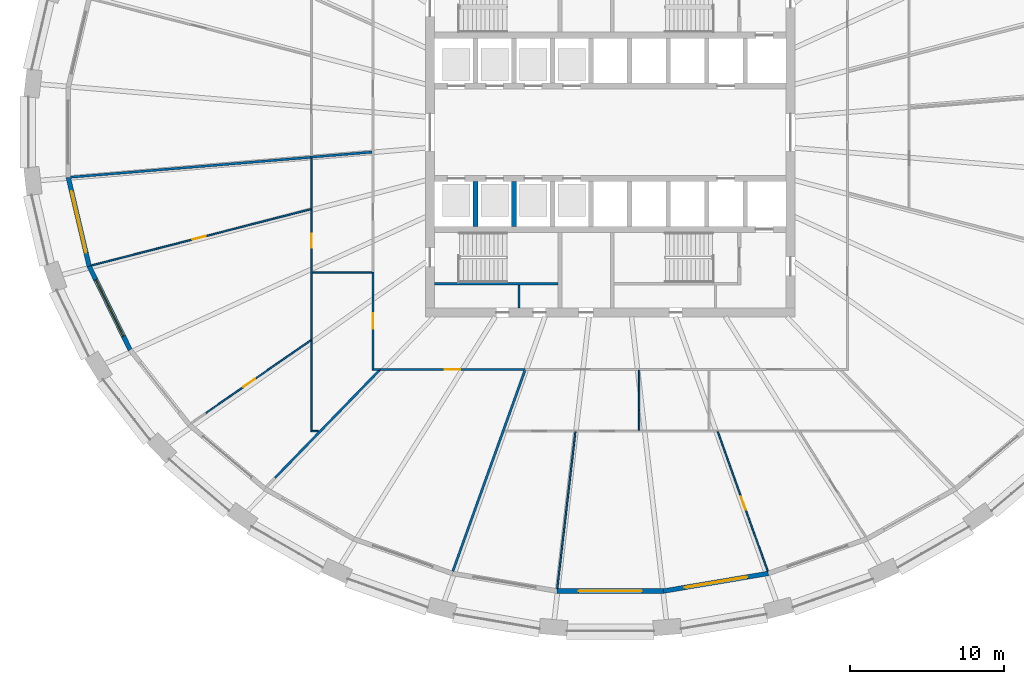
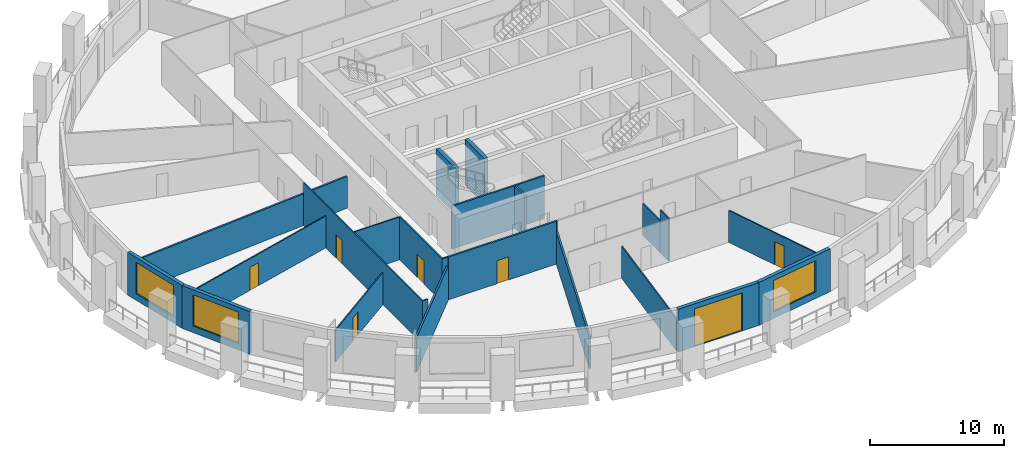
# One storey, part 3 of 12: 24 walls, 7 doors, 3 windows, 10 openings.
"""IFC4 building model written with IfcOpenShell, lengths in metres."""

from ifc_helpers import new_model, si_unit, direction, frame, frame_2d, origin, place, context, subcontext, project, spatial, polyline, rectangle, outline, extrude, material, layer, layer_set, type_object, element, fill, save


model = new_model("IFC4")

# Units and contexts
model_context = context("Model", 3, precision=1e-05, world=origin(), true_north=direction((0.0, 1.0)))
body_context = subcontext(model_context, "Body", "Model", "MODEL_VIEW")
ifc_project = project(units=[si_unit("LENGTHUNIT", "METRE"), si_unit("AREAUNIT", "SQUARE_METRE"), si_unit("VOLUMEUNIT", "CUBIC_METRE"), si_unit("PLANEANGLEUNIT", "RADIAN"), si_unit("MASSUNIT", "GRAM", prefix="KILO")], contexts=[model_context])

# Site, building, storey
site_placement = place(None, origin())
site = spatial("IfcSite", under=ifc_project, at=site_placement, CompositionType="ELEMENT")
building_placement = place(site_placement, origin())
building = spatial("IfcBuilding", under=site, at=building_placement, Name="Halqa Exchange Tower", CompositionType="ELEMENT")
storey_placement = place(building_placement, frame((0.0, 0.0, 31.89990234375)))
storey = spatial("IfcBuildingStorey", under=building, at=storey_placement, Name="L06", CompositionType="ELEMENT", Elevation=31.89990234375)

# Walls
ifc_material_1 = material(Name="Fire-rated gypsum board")
ifc_layer_1 = layer(ifc_material_1, 0.14990234375)
ifc_layer_set_1 = layer_set([ifc_layer_1], Name="Fire-rated gypsum board")
wall_type_1 = type_object("IfcWallType", Name="Fire partition EI 60 150", PredefinedType="PARTITIONING", material=ifc_layer_set_1)
wall_1_placement = place(storey_placement, frame((-19.44921875, -1.6240234375, 0.0), z_axis=(0.0, 0.0, 1.0), x_axis=(-0.996584649275, -0.082577459574, 0.0)))
element("IfcWall", 1, at=wall_1_placement, inside=storey, type_object=wall_type_1, Name="L06-PWL-007", PredefinedType="PARTITIONING", context=body_context, shape_type="SweptSolid", body=[
    extrude(outline(polyline([(15.628173828125, -0.074951171875), (15.628173828125, 0.048095703125), (15.624267578125, 0.074951171875), (13.672119140625, 0.074951171875), (11.719970703125, 0.074951171875), (9.767822265625, 0.074951171875), (7.815673828125, 0.074951171875), (5.863525390625, 0.074951171875), (3.911376953125, 0.074951171875), (1.959228515625, 0.074951171875), (0.007080078125, 0.074951171875), (0.005615234375, 0.05712890625), (0.0, 0.0576171875), (0.0, -0.074951171875), (1.95361328125, -0.074951171875), (3.906982421875, -0.074951171875), (5.860595703125, -0.074951171875), (7.81396484375, -0.074951171875), (9.767578125, -0.074951171875), (11.72119140625, -0.074951171875), (13.674560546875, -0.074951171875), (15.628173828125, -0.074951171875)])), origin(), (0.0, 0.0, 1.0), 2.89208984375),
])
wall_2_placement = place(storey_placement, frame((-15.46923828125, -1.28564453125, 0.0), z_axis=(0.0, 0.0, 1.0), x_axis=(-0.996614549641, -0.082215810186, 0.0)))
element("IfcWall", 2, at=wall_2_placement, inside=storey, type_object=wall_type_1, Name="L06-PWL-016", PredefinedType="PARTITIONING", context=body_context, shape_type="SweptSolid", body=[
    extrude(outline(polyline([(0.0, -0.074951171875), (1.94384765625, -0.074951171875), (3.8876953125, -0.074951171875), (3.888427734375, -0.067138671875), (3.984130859375, -0.074951171875), (3.993896484375, -0.074951171875), (3.993896484375, 0.067626953125), (3.90625, 0.074951171875), (1.959228515625, 0.074951171875), (0.011962890625, 0.074951171875), (0.0, -0.070068359375), (0.0, -0.074951171875)])), origin(), (0.0, 0.0, 1.0), 2.89208984375),
])
wall_3_placement = place(storey_placement, frame((-10.219482421875, -28.489501953125, 0.0), z_axis=(0.0, 0.0, 1.0), x_axis=(0.337910330096, 0.941178308725, 0.0)))
element("IfcWall", 3, at=wall_3_placement, inside=storey, type_object=wall_type_1, Name="L06-PWL-022", PredefinedType="PARTITIONING", context=body_context, shape_type="SweptSolid", body=[
    extrude(outline(polyline([(0.013671875, -0.074951171875), (1.957763671875, -0.074951171875), (3.901611328125, -0.074951171875), (5.845458984375, -0.074951171875), (7.789306640625, -0.074951171875), (9.733154296875, -0.074951171875), (9.737060546875, -0.073486328125), (9.737548828125, -0.074951171875), (11.115234375, -0.074951171875), (12.492919921875, -0.074951171875), (13.87060546875, -0.074951171875), (13.87060546875, -0.07470703125), (13.8525390625, -0.0244140625), (13.8525390625, -0.0244140625), (13.85107421875, -0.020263671875), (13.8369140625, -0.025390625), (13.801025390625, 0.074951171875), (11.829345703125, 0.074951171875), (9.85791015625, 0.074951171875), (7.88623046875, 0.074951171875), (5.914794921875, 0.074951171875), (3.943115234375, 0.074951171875), (1.9716796875, 0.074951171875), (0.0, 0.074951171875), (0.0, 0.06640625), (0.00048828125, -0.00146484375), (0.013671875, -0.074951171875)])), origin(), (0.0, 0.0, 1.0), 2.91015625),
])

# Wall, opening, door
wall_4_placement = place(storey_placement, frame((-5.52001953125, -15.39990234375, 0.0), z_axis=(0.0, 0.0, 1.0), x_axis=(-1.0, 0.0, 0.0)))
wall_4 = element("IfcWall", 4, at=wall_4_placement, inside=storey, type_object=wall_type_1, Name="L06-PWL-025", PredefinedType="PARTITIONING", context=body_context, shape_type="SweptSolid", body=[
    extrude(outline(polyline([(0.0, -0.074951171875), (1.964111328125, -0.074951171875), (3.927978515625, -0.074951171875), (5.89208984375, -0.074951171875), (7.85595703125, -0.074951171875), (9.820068359375, -0.074951171875), (9.820068359375, -0.059814453125), (9.419921875, -0.059814453125), (9.419921875, 0.044677734375), (9.388916015625, 0.074951171875), (7.532470703125, 0.074951171875), (5.676025390625, 0.074951171875), (3.819580078125, 0.074951171875), (1.963134765625, 0.074951171875), (0.1064453125, 0.074951171875), (0.0830078125, 0.009521484375), (0.0, 0.039306640625), (0.0, -0.074951171875)])), origin(), (0.0, 0.0, 1.0), 3.900146484375),
])
opening_1_placement = place(wall_4_placement, frame((4.2099609375, 0.0, 0.0)))
opening_1 = element("IfcOpeningElement", 5, at=opening_1_placement, cuts=wall_4, Name="Opening 01-13", PredefinedType="OPENING", context=body_context, shape_type="SweptSolid", body=[
    extrude(rectangle(XDim=1.0, YDim=2.10009765625, at=frame_2d((0.5, 1.050048828125))), frame((0.0, 0.0869140625, 0.0), z_axis=(0.0, -1.0, 0.0), x_axis=(1.0, 0.0, 0.0)), (0.0, 0.0, 1.0), 0.173828125),
])
ifc_material_2 = material(Name="Steel fire door leaf", Category="steel")
door_type_1 = type_object("IfcDoorType", Name="Fire door FD30S 1000 x 2100", OperationType="SINGLE_SWING_LEFT", PredefinedType="DOOR", material=ifc_material_2)
door_1_placement = place(opening_1_placement, origin())
door_1 = element("IfcDoor", 6, at=door_1_placement, inside=storey, type_object=door_type_1, Name="L06-IDR-013", OperationType="SINGLE_SWING_RIGHT", OverallHeight=2.10009765625, OverallWidth=1.0, PredefinedType="DOOR", context=body_context, shape_type="SweptSolid", body=[
    extrude(rectangle(XDim=1.0, YDim=2.10009765625, at=frame_2d((0.5, 1.050048828125))), frame((0.0, 0.02490234375, 0.0), z_axis=(0.0, -1.0, 0.0), x_axis=(1.0, 0.0, 0.0)), (0.0, 0.0, 1.0), 0.050048828125),
])
fill(opening_1, door_1)

# Wall
wall_5_placement = place(storey_placement, frame((-21.755126953125, -22.42138671875, 0.0), z_axis=(0.0, 0.0, 1.0), x_axis=(0.69648940436, 0.717567076735, 0.0)))
element("IfcWall", 7, at=wall_5_placement, inside=storey, type_object=wall_type_1, Name="L06-PWL-048", PredefinedType="PARTITIONING", context=body_context, shape_type="SweptSolid", body=[
    extrude(outline(polyline([(9.752685546875, -0.074951171875), (9.752685546875, -0.074462890625), (9.731201171875, -0.05224609375), (9.741943359375, -0.041748046875), (9.682373046875, 0.01953125), (9.682373046875, 0.01953125), (9.628662109375, 0.074951171875), (7.776611328125, 0.074951171875), (5.924560546875, 0.074951171875), (4.072509765625, 0.074951171875), (4.0703125, 0.07275390625), (4.068115234375, 0.074951171875), (2.712158203125, 0.074951171875), (1.35595703125, 0.074951171875), (0.0, 0.074951171875), (0.0, -0.074951171875), (1.950439453125, -0.074951171875), (3.901123046875, -0.074951171875), (5.8515625, -0.074951171875), (7.80224609375, -0.074951171875), (9.752685546875, -0.074951171875)])), origin(), (0.0, 0.0, 1.0), 3.147216796875),
])

# Wall, opening, door
ifc_material_3 = material(Name="Fire-rated glazing", Category="glass")
ifc_layer_2 = layer(ifc_material_3, 0.1201171875)
ifc_layer_set_2 = layer_set([ifc_layer_2], Name="Fire-rated glazing")
wall_type_2 = type_object("IfcWallType", Name="Glazed fire partition EI 60 120", PredefinedType="PARTITIONING", material=ifc_layer_set_2)
wall_6_placement = place(storey_placement, frame((-15.39990234375, -15.4599609375, 0.0), z_axis=(0.0, 0.0, 1.0), x_axis=(0.0, 1.0, 0.0)))
wall_6 = element("IfcWall", 8, at=wall_6_placement, inside=storey, type_object=wall_type_2, Name="L06-PWL-014", PredefinedType="PARTITIONING", context=body_context, shape_type="SweptSolid", body=[
    extrude(outline(polyline([(6.369873046875, 0.06005859375), (4.77734375, 0.06005859375), (3.18505859375, 0.06005859375), (1.592529296875, 0.06005859375), (0.0, 0.06005859375), (0.1201171875, -0.06005859375), (1.6826171875, -0.06005859375), (3.2451171875, -0.06005859375), (4.807373046875, -0.06005859375), (6.369873046875, -0.06005859375), (6.369873046875, 0.06005859375)])), origin(), (0.0, 0.0, 1.0), 3.900146484375),
])
opening_2_placement = place(wall_6_placement, frame((2.715087890625, 0.0, 0.0)))
opening_2 = element("IfcOpeningElement", 9, at=opening_2_placement, cuts=wall_6, Name="Opening 01-11", PredefinedType="OPENING", context=body_context, shape_type="SweptSolid", body=[
    extrude(rectangle(XDim=1.0, YDim=2.10009765625, at=frame_2d((0.5, 1.050048828125))), frame((0.0, 0.072021484375, 0.0), z_axis=(0.0, -1.0, 0.0), x_axis=(1.0, 0.0, 0.0)), (0.0, 0.0, 1.0), 0.14404296875),
])
door_2_placement = place(opening_2_placement, origin())
door_2 = element("IfcDoor", 10, at=door_2_placement, inside=storey, type_object=door_type_1, Name="L06-IDR-011", OperationType="SINGLE_SWING_LEFT", OverallHeight=2.10009765625, OverallWidth=1.0, PredefinedType="DOOR", context=body_context, shape_type="SweptSolid", body=[
    extrude(rectangle(XDim=1.0, YDim=2.10009765625, at=frame_2d((0.5, 1.050048828125))), frame((0.0, 0.02490234375, 0.0), z_axis=(0.0, -1.0, 0.0), x_axis=(1.0, 0.0, 0.0)), (0.0, 0.0, 1.0), 0.050048828125),
])
fill(opening_2, door_2)

# Wall
wall_7_placement = place(storey_placement, frame((-14.93994140625, -15.39990234375, 0.0), z_axis=(0.0, 0.0, 1.0), x_axis=(-1.0, 0.0, 0.0)))
element("IfcWall", 11, at=wall_7_placement, inside=storey, type_object=wall_type_2, Name="L06-PWL-018", PredefinedType="PARTITIONING", context=body_context, shape_type="SweptSolid", body=[
    extrude(outline(polyline([(0.0, -0.06005859375), (0.39990234375, -0.06005859375), (0.52001953125, 0.06005859375), (0.0, 0.06005859375), (0.0, -0.06005859375)])), origin(), (0.0, 0.0, 1.0), 3.900146484375),
])

# Wall, opening, door
ifc_material_4 = material(Name="Gypsum board")
ifc_layer_3 = layer(ifc_material_4, 0.10009765625)
ifc_layer_set_3 = layer_set([ifc_layer_3], Name="Gypsum board")
wall_type_3 = type_object("IfcWallType", Name="Partition 100 gypsum", PredefinedType="PARTITIONING", material=ifc_layer_set_3)
wall_8_placement = place(storey_placement, frame((-19.39990234375, -19.449951171875, 0.0), z_axis=(0.0, 0.0, 1.0), x_axis=(0.0, 1.0, 0.0)))
wall_8 = element("IfcWall", 12, at=wall_8_placement, inside=storey, type_object=wall_type_3, Name="L06-PWL-003", PredefinedType="PARTITIONING", context=body_context, shape_type="SweptSolid", body=[
    extrude(outline(polyline([(0.10009765625, -0.050048828125), (1.8017578125, -0.050048828125), (3.50341796875, -0.050048828125), (5.205078125, -0.050048828125), (6.90673828125, -0.050048828125), (8.6083984375, -0.050048828125), (10.31005859375, -0.050048828125), (10.31005859375, -0.0498046875), (10.409912109375, -0.0498046875), (10.409912109375, -0.050048828125), (12.24951171875, -0.050048828125), (14.08935546875, -0.050048828125), (15.928955078125, -0.050048828125), (17.7685546875, -0.050048828125), (17.7685546875, -0.046630859375), (17.760986328125, 0.043701171875), (17.7685546875, 0.04443359375), (17.7685546875, 0.045166015625), (17.7509765625, 0.043701171875), (17.75048828125, 0.050048828125), (16.081787109375, 0.050048828125), (14.4130859375, 0.050048828125), (14.406005859375, 0.048095703125), (14.405517578125, 0.050048828125), (12.702392578125, 0.050048828125), (10.999267578125, 0.050048828125), (9.2958984375, 0.050048828125), (7.5927734375, 0.050048828125), (5.8896484375, 0.050048828125), (5.88623046875, 0.047607421875), (5.884521484375, 0.050048828125), (3.9228515625, 0.050048828125), (1.96142578125, 0.050048828125), (0.0, 0.050048828125), (0.099853515625, -0.0498046875), (0.10009765625, -0.050048828125)])), origin(), (0.0, 0.0, 1.0), 3.900146484375),
])
opening_3_placement = place(wall_8_placement, frame((11.965087890625, 0.0, 0.0)))
opening_3 = element("IfcOpeningElement", 13, at=opening_3_placement, cuts=wall_8, Name="Opening 01-25", PredefinedType="OPENING", context=body_context, shape_type="SweptSolid", body=[
    extrude(rectangle(XDim=0.89990234375, YDim=2.10009765625, at=frame_2d((0.449951171875, 1.050048828125))), frame((0.0, 0.06201171875, 0.0), z_axis=(0.0, -1.0, 0.0), x_axis=(1.0, 0.0, 0.0)), (0.0, 0.0, 1.0), 0.1240234375),
])
ifc_material_5 = material(Name="Timber door leaf", Category="wood")
door_type_2 = type_object("IfcDoorType", Name="Door 900 x 2100", OperationType="SINGLE_SWING_LEFT", PredefinedType="DOOR", material=ifc_material_5)
door_3_placement = place(opening_3_placement, frame((0.89990234375, 0.0, 0.0), z_axis=(0.0, 0.0, 1.0), x_axis=(-1.0, 0.0, 0.0)))
door_3 = element("IfcDoor", 14, at=door_3_placement, inside=storey, type_object=door_type_2, Name="L06-IDR-025", OperationType="SINGLE_SWING_LEFT", OverallHeight=2.10009765625, OverallWidth=0.89990234375, PredefinedType="DOOR", context=body_context, shape_type="SweptSolid", body=[
    extrude(rectangle(XDim=0.89990234375, YDim=2.10009765625, at=frame_2d((0.449951171875, 1.050048828125))), frame((0.0, 0.02490234375, 0.0), z_axis=(0.0, -1.0, 0.0), x_axis=(1.0, 0.0, 0.0)), (0.0, 0.0, 1.0), 0.050048828125),
])
fill(opening_3, door_3)

wall_9_placement = place(storey_placement, frame((-19.421875, -13.485107421875, 0.0), z_axis=(0.0, 0.0, 1.0), x_axis=(-0.821712123272, -0.569902786858, 0.0)))
wall_9 = element("IfcWall", 15, at=wall_9_placement, inside=storey, type_object=wall_type_3, Name="L06-PWL-004", PredefinedType="PARTITIONING", context=body_context, shape_type="SweptSolid", body=[
    extrude(outline(polyline([(8.335205078125, 0.050048828125), (6.681884765625, 0.050048828125), (5.02880859375, 0.050048828125), (3.37548828125, 0.050048828125), (1.72216796875, 0.050048828125), (0.06884765625, 0.050048828125), (0.0, -0.04931640625), (0.0, -0.050048828125), (1.6669921875, -0.050048828125), (3.333984375, -0.050048828125), (5.001220703125, -0.050048828125), (6.668212890625, -0.050048828125), (8.335205078125, -0.050048828125), (8.335205078125, 0.050048828125)])), origin(), (0.0, 0.0, 1.0), 2.91015625),
])
opening_4_placement = place(wall_9_placement, frame((4.427978515625, 0.0, 0.0)))
opening_4 = element("IfcOpeningElement", 16, at=opening_4_placement, cuts=wall_9, Name="Opening 01-27", PredefinedType="OPENING", context=body_context, shape_type="SweptSolid", body=[
    extrude(rectangle(XDim=0.89990234375, YDim=2.10009765625, at=frame_2d((0.449951171875, 1.050048828125))), frame((0.0, 0.06201171875, 0.0), z_axis=(0.0, -1.0, 0.0), x_axis=(1.0, 0.0, 0.0)), (0.0, 0.0, 1.0), 0.1240234375),
])
door_4_placement = place(opening_4_placement, origin())
door_4 = element("IfcDoor", 17, at=door_4_placement, inside=storey, type_object=door_type_2, Name="L06-IDR-027", OperationType="SINGLE_SWING_RIGHT", OverallHeight=2.10009765625, OverallWidth=0.89990234375, PredefinedType="DOOR", context=body_context, shape_type="SweptSolid", body=[
    extrude(rectangle(XDim=0.89990234375, YDim=2.10009765625, at=frame_2d((0.449951171875, 1.050048828125))), frame((0.0, 0.02490234375, 0.0), z_axis=(0.0, -1.0, 0.0), x_axis=(1.0, 0.0, 0.0)), (0.0, 0.0, 1.0), 0.050048828125),
])
fill(opening_4, door_4)

# Wall
wall_10_placement = place(storey_placement, frame((-19.35009765625, -9.090087890625, 0.0), z_axis=(0.0, 0.0, 1.0), x_axis=(1.0, 0.0, 0.0)))
element("IfcWall", 18, at=wall_10_placement, inside=storey, type_object=wall_type_3, Name="L06-PWL-005", PredefinedType="PARTITIONING", context=body_context, shape_type="SweptSolid", body=[
    extrude(outline(polyline([(3.8896484375, -0.050048828125), (3.8896484375, 0.0), (3.875, 0.0), (3.875, 0.050048828125), (1.9375, 0.050048828125), (0.0, 0.050048828125), (0.0, -0.050048828125), (1.94482421875, -0.050048828125), (3.8896484375, -0.050048828125)])), origin(), (0.0, 0.0, 1.0), 3.900146484375),
])

# Wall, opening, door
wall_11_placement = place(storey_placement, frame((-19.437744140625, -4.98974609375, 0.0), z_axis=(0.0, 0.0, 1.0), x_axis=(-0.968638974519, -0.248472407007, 0.0)))
wall_11 = element("IfcWall", 19, at=wall_11_placement, inside=storey, type_object=wall_type_3, Name="L06-PWL-006", PredefinedType="PARTITIONING", context=body_context, shape_type="SweptSolid", body=[
    extrude(outline(polyline([(14.7060546875, -0.050048828125), (14.7060546875, 0.004150390625), (14.696533203125, 0.050048828125), (12.862548828125, 0.050048828125), (11.02880859375, 0.050048828125), (9.19482421875, 0.050048828125), (7.361083984375, 0.050048828125), (5.527099609375, 0.050048828125), (3.693359375, 0.050048828125), (1.859375, 0.050048828125), (0.025390625, 0.050048828125), (0.0, -0.04931640625), (0.0, -0.050048828125), (1.83837890625, -0.050048828125), (3.676513671875, -0.050048828125), (5.5146484375, -0.050048828125), (7.35302734375, -0.050048828125), (9.19140625, -0.050048828125), (11.029541015625, -0.050048828125), (12.86767578125, -0.050048828125), (14.7060546875, -0.050048828125)])), origin(), (0.0, 0.0, 1.0), 2.89208984375),
])
opening_5_placement = place(wall_11_placement, frame((7.037109375, 0.0, 0.0)))
opening_5 = element("IfcOpeningElement", 20, at=opening_5_placement, cuts=wall_11, Name="Opening 01-26", PredefinedType="OPENING", context=body_context, shape_type="SweptSolid", body=[
    extrude(rectangle(XDim=0.89990234375, YDim=2.10009765625, at=frame_2d((0.449951171875, 1.050048828125))), frame((0.0, 0.06201171875, 0.0), z_axis=(0.0, -1.0, 0.0), x_axis=(1.0, 0.0, 0.0)), (0.0, 0.0, 1.0), 0.1240234375),
])
door_5_placement = place(opening_5_placement, frame((0.89990234375, 0.0, 0.0), z_axis=(0.0, 0.0, 1.0), x_axis=(-1.0, 0.0, 0.0)))
door_5 = element("IfcDoor", 21, at=door_5_placement, inside=storey, type_object=door_type_2, Name="L06-IDR-026", OperationType="SINGLE_SWING_LEFT", OverallHeight=2.10009765625, OverallWidth=0.89990234375, PredefinedType="DOOR", context=body_context, shape_type="SweptSolid", body=[
    extrude(rectangle(XDim=0.89990234375, YDim=2.10009765625, at=frame_2d((0.449951171875, 1.050048828125))), frame((0.0, 0.02490234375, 0.0), z_axis=(0.0, -1.0, 0.0), x_axis=(1.0, 0.0, 0.0)), (0.0, 0.0, 1.0), 0.050048828125),
])
fill(opening_5, door_5)

# Walls
wall_12_placement = place(storey_placement, frame((-18.972412109375, -19.39990234375, 0.0), z_axis=(0.0, 0.0, 1.0), x_axis=(-1.0, 0.0, 0.0)))
element("IfcWall", 22, at=wall_12_placement, inside=storey, type_object=wall_type_3, Name="L06-PWL-012", PredefinedType="PARTITIONING", context=body_context, shape_type="SweptSolid", body=[
    extrude(outline(polyline([(0.0, -0.050048828125), (0.37744140625, -0.050048828125), (0.4775390625, 0.050048828125), (0.0, 0.050048828125), (0.0, -0.050048828125)])), origin(), (0.0, 0.0, 1.0), 3.900146484375),
])
wall_13_placement = place(storey_placement, frame((-3.44482421875, -29.6259765625, 0.0), z_axis=(0.0, 0.0, 1.0), x_axis=(0.115096942751, 0.993354263981, 0.0)))
element("IfcWall", 23, at=wall_13_placement, inside=storey, type_object=wall_type_3, Name="L06-PWL-027", PredefinedType="PARTITIONING", context=body_context, shape_type="SweptSolid", body=[
    extrude(outline(polyline([(10.24951171875, -0.050048828125), (10.24951171875, -0.047119140625), (10.23828125, 0.050048828125), (8.531982421875, 0.050048828125), (6.825439453125, 0.050048828125), (5.119140625, 0.050048828125), (3.412841796875, 0.050048828125), (1.706298828125, 0.050048828125), (0.0, 0.050048828125), (0.0, -0.017578125), (0.003662109375, -0.050048828125), (1.71142578125, -0.050048828125), (3.4189453125, -0.050048828125), (5.126708984375, -0.050048828125), (6.834228515625, -0.050048828125), (8.5419921875, -0.050048828125), (10.24951171875, -0.050048828125)])), origin(), (0.0, 0.0, 1.0), 2.91015625),
])
wall_14_placement = place(storey_placement, frame((1.8701171875, -15.46044921875, 0.0), z_axis=(0.0, 0.0, 1.0), x_axis=(0.0, -1.0, 0.0)))
element("IfcWall", 24, at=wall_14_placement, inside=storey, type_object=wall_type_3, Name="L06-PWL-029", PredefinedType="PARTITIONING", context=body_context, shape_type="SweptSolid", body=[
    extrude(outline(polyline([(2.582763671875, 0.050048828125), (1.298583984375, 0.050048828125), (0.0146484375, 0.050048828125), (0.0146484375, 0.0), (0.0, 0.0), (0.0, -0.050048828125), (1.29150390625, -0.050048828125), (2.582763671875, -0.050048828125), (2.582763671875, 0.050048828125)])), origin(), (0.0, 0.0, 1.0), 2.91015625),
])

# Wall, opening, door
wall_15_placement = place(storey_placement, frame((6.971923828125, -19.433349609375, 0.0), z_axis=(0.0, 0.0, 1.0), x_axis=(0.337548274923, -0.941308218437, 0.0)))
wall_15 = element("IfcWall", 25, at=wall_15_placement, inside=storey, type_object=wall_type_3, Name="L06-PWL-033", PredefinedType="PARTITIONING", context=body_context, shape_type="SweptSolid", body=[
    extrude(outline(polyline([(0.0, -0.050048828125), (1.92236328125, -0.050048828125), (3.8447265625, -0.050048828125), (5.766845703125, -0.050048828125), (7.689208984375, -0.050048828125), (9.611572265625, -0.050048828125), (9.620361328125, -0.001220703125), (9.620361328125, 0.002197265625), (9.620361328125, 0.050048828125), (7.703369140625, 0.050048828125), (5.786376953125, 0.050048828125), (3.86962890625, 0.050048828125), (1.95263671875, 0.050048828125), (0.03564453125, 0.050048828125), (0.0, -0.04931640625), (0.0, -0.050048828125)])), origin(), (0.0, 0.0, 1.0), 2.91015625),
])
opening_6_placement = place(wall_15_placement, frame((4.49169921875, 0.0, 0.0)))
opening_6 = element("IfcOpeningElement", 26, at=opening_6_placement, cuts=wall_15, Name="Opening 01-30", PredefinedType="OPENING", context=body_context, shape_type="SweptSolid", body=[
    extrude(rectangle(XDim=0.89990234375, YDim=2.10009765625, at=frame_2d((0.449951171875, 1.050048828125))), frame((0.0, 0.06201171875, 0.0), z_axis=(0.0, -1.0, 0.0), x_axis=(1.0, 0.0, 0.0)), (0.0, 0.0, 1.0), 0.1240234375),
])
door_6_placement = place(opening_6_placement, origin())
door_6 = element("IfcDoor", 27, at=door_6_placement, inside=storey, type_object=door_type_2, Name="L06-IDR-030", OperationType="SINGLE_SWING_RIGHT", OverallHeight=2.10009765625, OverallWidth=0.89990234375, PredefinedType="DOOR", context=body_context, shape_type="SweptSolid", body=[
    extrude(rectangle(XDim=0.89990234375, YDim=2.10009765625, at=frame_2d((0.449951171875, 1.050048828125))), frame((0.0, 0.02490234375, 0.0), z_axis=(0.0, -1.0, 0.0), x_axis=(1.0, 0.0, 0.0)), (0.0, 0.0, 1.0), 0.050048828125),
])
fill(opening_6, door_6)

# Walls
wall_16_placement = place(storey_placement, frame((1.8701171875, -18.043212890625, 0.0), z_axis=(0.0, 0.0, 1.0), x_axis=(0.0, -1.0, 0.0)))
element("IfcWall", 28, at=wall_16_placement, inside=storey, type_object=wall_type_3, Name="L06-PWL-050", PredefinedType="PARTITIONING", context=body_context, shape_type="SweptSolid", body=[
    extrude(outline(polyline([(0.0, -0.050048828125), (1.306884765625, -0.050048828125), (1.306884765625, 0.050048828125), (0.0, 0.050048828125), (0.0, -0.050048828125)])), origin(), (0.0, 0.0, 1.0), 3.900146484375),
])
ifc_layer_4 = layer(ifc_material_4, 0.14990234375)
ifc_layer_set_4 = layer_set([ifc_layer_4], Name="Gypsum board")
wall_type_4 = type_object("IfcWallType", Name="Penthouse riser wall 150 gypsum", PredefinedType="PARTITIONING", material=ifc_layer_set_4)
wall_17_placement = place(storey_placement, frame((-5.925048828125, -11.39990234375, 0.0), z_axis=(0.0, 0.0, 1.0), x_axis=(0.0, 1.0, 0.0)))
element("IfcWall", 29, at=wall_17_placement, inside=storey, type_object=wall_type_4, Name="Partition W5.925 S", PredefinedType="PARTITIONING", context=body_context, shape_type="SweptSolid", body=[
    extrude(rectangle(XDim=1.5, YDim=0.14990234375, at=frame_2d((0.75, 0.0))), origin(), (0.0, 0.0, 1.0), 3.900146484375),
])
ifc_material_6 = material(Name="Concrete C60/75", Category="concrete")
ifc_layer_5 = layer(ifc_material_6, 0.300048828125)
ifc_layer_set_5 = layer_set([ifc_layer_5], Name="Concrete C60/75")
wall_type_5 = type_object("IfcWallType", Name="RC core wall 300", PredefinedType="SHEAR", material=ifc_layer_set_5)
for number, where, z_axis, x_axis, name in (
    (30, (-8.75, -6.10009765625, 0.0), (0.0, 0.0, 1.0), (0.0, 1.0, 0.0), "Shaft divider S1"),
    (31, (-6.25, -6.10009765625, 0.0), (0.0, 0.0, 1.0), (0.0, 1.0, 0.0), "Shaft divider S2"),
):
    element("IfcWall", number, at=place(storey_placement, frame(where, z_axis=z_axis, x_axis=x_axis)), inside=storey, type_object=wall_type_5, Name=name, PredefinedType="SHEAR", context=body_context, shape_type="SweptSolid", body=[
        extrude(rectangle(XDim=2.900146484375, YDim=0.300048828125, at=frame_2d((1.4501953125, 0.0))), origin(), (0.0, 0.0, 1.0), 4.2001953125),
    ])
ifc_material_7 = material(Name="Concrete C30/37", Category="concrete")
ifc_layer_6 = layer(ifc_material_7, 0.14990234375)
ifc_layer_set_6 = layer_set([ifc_layer_6], Name="Concrete C30/37")
wall_type_6 = type_object("IfcWallType", Name="RC stair wall 150 C30/37", PredefinedType="SHEAR", material=ifc_layer_set_6)
wall_18_placement = place(storey_placement, frame((-11.39990234375, -9.824951171875, 0.0), z_axis=(0.0, 0.0, 1.0), x_axis=(1.0, 0.0, 0.0)))
element("IfcWall", 32, at=wall_18_placement, inside=storey, type_object=wall_type_6, Name="Stair ST1 north wall S", PredefinedType="SHEAR", context=body_context, shape_type="SweptSolid", body=[
    extrude(rectangle(XDim=8.0, YDim=0.14990234375, at=frame_2d((4.0, 0.0))), origin(), (0.0, 0.0, 1.0), 3.900146484375),
])

# Wall, opening, window
ifc_material_8 = material(Name="Limestone cladding", Category="masonry")
ifc_layer_7 = layer(ifc_material_8, 0.0400390625)
ifc_material_9 = material(Name="Ventilated cavity")
ifc_layer_8 = layer(ifc_material_9, 0.030029296875, ventilated=True)
ifc_material_10 = material(Name="Mineral wool insulation")
ifc_layer_9 = layer(ifc_material_10, 0.10009765625)
ifc_layer_10 = layer(ifc_material_7, 0.10009765625)
ifc_material_11 = material(Name="Internal plaster")
ifc_layer_11 = layer(ifc_material_11, 0.030029296875)
ifc_layer_set_7 = layer_set([ifc_layer_7, ifc_layer_8, ifc_layer_9, ifc_layer_10, ifc_layer_11], Name="Stone-faced insulated wall 300")
wall_type_7 = type_object("IfcWallType", Name="Stone-faced insulated wall 300", PredefinedType="STANDARD", material=ifc_layer_set_7)
wall_19_placement = place(storey_placement, frame((-35.180419921875, -2.935546875, 0.0), z_axis=(0.0, 0.0, 1.0), x_axis=(0.228924296831, -0.973444228665, 0.0)))
wall_19 = element("IfcWall", 33, at=wall_19_placement, inside=storey, type_object=wall_type_7, Name="Glass-line wall 17", PredefinedType="STANDARD", context=body_context, shape_type="SweptSolid", body=[
    extrude(outline(polyline([(-0.017333984375, -0.14990234375), (5.931396484375, -0.14990234375), (5.897705078125, 0.14990234375), (0.017333984375, 0.14990234375), (-0.017333984375, -0.14990234375)])), origin(), (0.0, 0.0, 1.0), 3.900146484375),
])
opening_7_placement = place(wall_19_placement, frame((0.9072265625, 0.0, 0.60009765625)))
opening_7 = element("IfcOpeningElement", 34, at=opening_7_placement, cuts=wall_19, Name="Opening W-F1-17", PredefinedType="OPENING", context=body_context, shape_type="SweptSolid", body=[
    extrude(rectangle(XDim=4.10009765625, YDim=2.85009765625, at=frame_2d((2.050048828125, 1.425048828125))), frame((0.0, 0.162109375, 0.0), z_axis=(0.0, -1.0, 0.0), x_axis=(1.0, 0.0, 0.0)), (0.0, 0.0, 1.0), 0.323974609375),
])
ifc_material_12 = material(Name="Clear low-emissivity glass in aluminium frame", Category="aluminium")
window_type = type_object("IfcWindowType", Name="Fixed clear glazed window 4100 x 2850", PartitioningType="TRIPLE_PANEL_VERTICAL", PredefinedType="WINDOW", material=ifc_material_12)
window_1_placement = place(opening_7_placement, origin())
window_1 = element("IfcWindow", 35, at=window_1_placement, inside=storey, type_object=window_type, Name="Window 1", OverallHeight=2.85009765625, OverallWidth=4.10009765625, PartitioningType="TRIPLE_PANEL_VERTICAL", PredefinedType="WINDOW", context=body_context, shape_type="SweptSolid", body=[
    extrude(rectangle(XDim=4.10009765625, YDim=2.85009765625, at=frame_2d((2.050048828125, 1.425048828125))), frame((0.0, 0.030029296875, 0.0), z_axis=(0.0, -1.0, 0.0), x_axis=(1.0, 0.0, 0.0)), (0.0, 0.0, 1.0), 0.06005859375),
])
fill(opening_7, window_1)

wall_20_placement = place(storey_placement, frame((-33.826416015625, -8.693115234375, 0.0), z_axis=(0.0, 0.0, 1.0), x_axis=(0.439821516427, -0.898085204025, 0.0)))
wall_20 = element("IfcWall", 36, at=wall_20_placement, inside=storey, type_object=wall_type_7, Name="Glass-line wall 18", PredefinedType="STANDARD", context=body_context, shape_type="SweptSolid", body=[
    extrude(outline(polyline([(-0.016845703125, -0.14990234375), (6.052734375, -0.14990234375), (6.0205078125, 0.14990234375), (0.016845703125, 0.14990234375), (-0.016845703125, -0.14990234375)])), origin(), (0.0, 0.0, 1.0), 3.900146484375),
])
opening_8_placement = place(wall_20_placement, frame((0.968505859375, 0.0, 0.60009765625)))
opening_8 = element("IfcOpeningElement", 37, at=opening_8_placement, cuts=wall_20, Name="Opening W-F1-18", PredefinedType="OPENING", context=body_context, shape_type="SweptSolid", body=[
    extrude(rectangle(XDim=4.10009765625, YDim=2.85009765625, at=frame_2d((2.050048828125, 1.425048828125))), frame((0.0, 0.162109375, 0.0), z_axis=(0.0, -1.0, 0.0), x_axis=(1.0, 0.0, 0.0)), (0.0, 0.0, 1.0), 0.323974609375),
])
window_2_placement = place(opening_8_placement, origin())
window_2 = element("IfcWindow", 38, at=window_2_placement, inside=storey, type_object=window_type, Name="Window 1", OverallHeight=2.85009765625, OverallWidth=4.10009765625, PartitioningType="TRIPLE_PANEL_VERTICAL", PredefinedType="WINDOW", context=body_context, shape_type="SweptSolid", body=[
    extrude(rectangle(XDim=4.10009765625, YDim=2.85009765625, at=frame_2d((2.050048828125, 1.425048828125))), frame((0.0, 0.030029296875, 0.0), z_axis=(0.0, -1.0, 0.0), x_axis=(1.0, 0.0, 0.0)), (0.0, 0.0, 1.0), 0.06005859375),
])
fill(opening_8, window_2)

# Wall, opening, door
wall_21_placement = place(storey_placement, frame((-3.462646484375, -29.778076171875, 0.0), z_axis=(0.0, 0.0, 1.0), x_axis=(1.0, 0.0, 0.0)))
wall_21 = element("IfcWall", 39, at=wall_21_placement, inside=storey, type_object=wall_type_7, Name="Glass-line wall 24", PredefinedType="STANDARD", context=body_context, shape_type="SweptSolid", body=[
    extrude(outline(polyline([(-0.012451171875, -0.14990234375), (6.937744140625, -0.14990234375), (6.912841796875, 0.14990234375), (0.012451171875, 0.14990234375), (-0.012451171875, -0.14990234375)])), origin(), (0.0, 0.0, 1.0), 3.900146484375),
])
opening_9_placement = place(wall_21_placement, frame((1.41259765625, 0.0, 0.0)))
opening_9 = element("IfcOpeningElement", 40, at=opening_9_placement, cuts=wall_21, Name="Opening LG-F1-06", PredefinedType="OPENING", context=body_context, shape_type="SweptSolid", body=[
    extrude(rectangle(XDim=4.10009765625, YDim=3.449951171875, at=frame_2d((2.050048828125, 1.72509765625))), frame((0.0, 0.162109375, 0.0), z_axis=(0.0, -1.0, 0.0), x_axis=(1.0, 0.0, 0.0)), (0.0, 0.0, 1.0), 0.323974609375),
])
door_type_3 = type_object("IfcDoorType", Name="Glazed sliding loggia door 4100 x 3450", OperationType="DOUBLE_DOOR_SLIDING", PredefinedType="DOOR", material=ifc_material_12)
door_7_placement = place(opening_9_placement, origin())
door_7 = element("IfcDoor", 41, at=door_7_placement, inside=storey, type_object=door_type_3, Name="Loggia door 6", OperationType="DOUBLE_DOOR_SLIDING", OverallHeight=3.449951171875, OverallWidth=4.10009765625, PredefinedType="DOOR", context=body_context, shape_type="SweptSolid", body=[
    extrude(rectangle(XDim=4.10009765625, YDim=3.449951171875, at=frame_2d((2.050048828125, 1.72509765625))), frame((0.0, 0.02490234375, 0.0), z_axis=(0.0, -1.0, 0.0), x_axis=(1.0, 0.0, 0.0)), (0.0, 0.0, 1.0), 0.050048828125),
])
fill(opening_9, door_7)

# Wall, opening, window
wall_22_placement = place(storey_placement, frame((3.462646484375, -29.778076171875, 0.0), z_axis=(0.0, 0.0, 1.0), x_axis=(0.986141805867, 0.165904607291, 0.0)))
wall_22 = element("IfcWall", 42, at=wall_22_placement, inside=storey, type_object=wall_type_7, Name="Glass-line wall 25", PredefinedType="STANDARD", context=body_context, shape_type="SweptSolid", body=[
    extrude(outline(polyline([(-0.012451171875, -0.14990234375), (6.901123046875, -0.14990234375), (6.875732421875, 0.14990234375), (0.012451171875, 0.14990234375), (-0.012451171875, -0.14990234375)])), origin(), (0.0, 0.0, 1.0), 3.900146484375),
])
opening_10_placement = place(wall_22_placement, frame((1.39404296875, 0.0, 0.60009765625)))
opening_10 = element("IfcOpeningElement", 43, at=opening_10_placement, cuts=wall_22, Name="Opening W-F1-25", PredefinedType="OPENING", context=body_context, shape_type="SweptSolid", body=[
    extrude(rectangle(XDim=4.10009765625, YDim=2.85009765625, at=frame_2d((2.050048828125, 1.425048828125))), frame((0.0, 0.162109375, 0.0), z_axis=(0.0, -1.0, 0.0), x_axis=(1.0, 0.0, 0.0)), (0.0, 0.0, 1.0), 0.323974609375),
])
window_3_placement = place(opening_10_placement, origin())
window_3 = element("IfcWindow", 44, at=window_3_placement, inside=storey, type_object=window_type, Name="Window 1", OverallHeight=2.85009765625, OverallWidth=4.10009765625, PartitioningType="TRIPLE_PANEL_VERTICAL", PredefinedType="WINDOW", context=body_context, shape_type="SweptSolid", body=[
    extrude(rectangle(XDim=4.10009765625, YDim=2.85009765625, at=frame_2d((2.050048828125, 1.425048828125))), frame((0.0, 0.030029296875, 0.0), z_axis=(0.0, -1.0, 0.0), x_axis=(1.0, 0.0, 0.0)), (0.0, 0.0, 1.0), 0.06005859375),
])
fill(opening_10, window_3)

save(model, "model.ifc")
